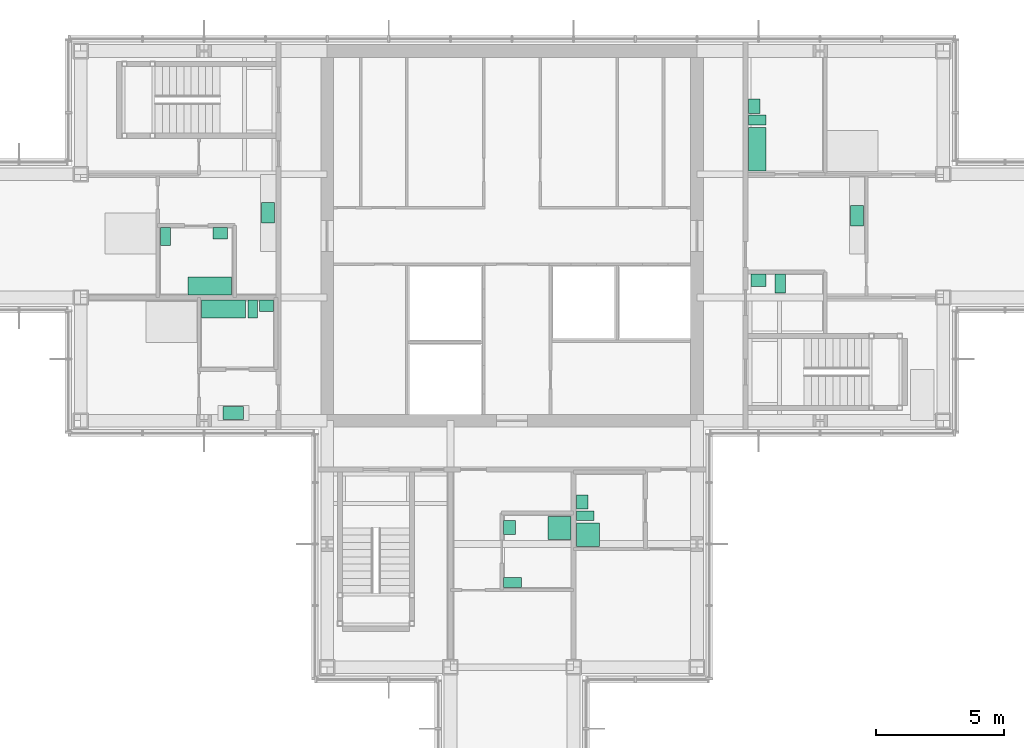
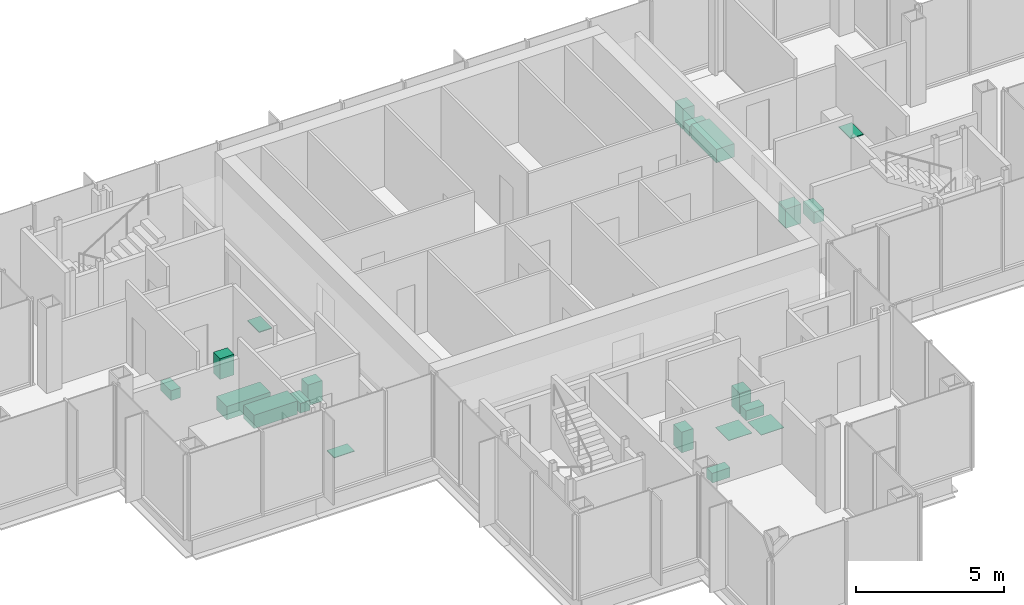
# One storey, part 14 of 15: 20 sanitary terminals.
"""IFC4 building model written with IfcOpenShell, lengths in metres."""

import ifcopenshell
import ifcopenshell.guid

model = None  # the IFC model being written
_history = None  # IfcOwnerHistory: only IFC2X3 demands one
_inside = {}  # id of a spatial element -> (the spatial element, [elements in it])
_under = {}  # id of a project, library or spatial element -> (it, [spatial elements below it])
_declared = {}  # id of a project -> (the project, [libraries it declares])
_typed = {}  # id of a type object -> (the type object, [elements of that type])
_made_of = {}  # id of a material, layer set ... -> (it, [elements and type objects made of it])


def new_model(schema):
    """Start an empty IFC model of exactly this schema.

    Asked for "IFC4X3", IfcOpenShell would pick the latest addendum, in which some entities
    have other attributes; the version numbers below select the first issue.
    IFC2X3 requires an IfcOwnerHistory on every rooted entity: one is made here for all.
    """
    global model, _history
    if schema == "IFC4X3":
        model = ifcopenshell.file(schema_version=(4, 3, 0, 0))
    else:
        model = ifcopenshell.file(schema=schema)
    _inside.clear()
    _under.clear()
    _declared.clear()
    _typed.clear()
    _made_of.clear()
    _history = None
    if model.schema == "IFC2X3":
        org = make("IfcOrganization", Name="unknown")
        user = make(
            "IfcPersonAndOrganization",
            ThePerson=make("IfcPerson", FamilyName="unknown"),
            TheOrganization=org,
        )
        app = make(
            "IfcApplication",
            ApplicationDeveloper=org,
            Version="unknown",
            ApplicationFullName="unknown",
            ApplicationIdentifier="unknown",
        )
        _history = make(
            "IfcOwnerHistory",
            OwningUser=user,
            OwningApplication=app,
            ChangeAction="ADDED",
            CreationDate=0,
        )
    return model


def make(cls, **values):
    """One entity of the class cls with the attributes given. An attribute that is None is left unset."""
    return model.create_entity(
        cls, **{name: value for name, value in values.items() if value is not None}
    )


def rooted(cls, **values):
    """An entity with a GlobalId (a new one), such as an element, a storey or a relation."""
    return make(cls, GlobalId=ifcopenshell.guid.new(), OwnerHistory=_history, **values)


def si_unit(unit_type, name, prefix=None):
    """IfcSIUnit, for example si_unit("LENGTHUNIT", "METRE", prefix="MILLI")."""
    return make("IfcSIUnit", UnitType=unit_type, Prefix=prefix, Name=name)


def assignment(units):
    """IfcUnitAssignment: the units of a project."""
    return None if units is None else make("IfcUnitAssignment", Units=units)


def point(xyz):
    """IfcCartesianPoint."""
    return None if xyz is None else make("IfcCartesianPoint", Coordinates=xyz)


def direction(xyz):
    """IfcDirection."""
    return None if xyz is None else make("IfcDirection", DirectionRatios=xyz)


def frame(location, z_axis=None, x_axis=None):
    """IfcAxis2Placement3D, a coordinate frame: its origin and axes. An axis left out is left unset."""
    return make(
        "IfcAxis2Placement3D",
        Location=point(location),
        Axis=direction(z_axis),
        RefDirection=direction(x_axis),
    )


def frame_2d(location, x_axis=None):
    """IfcAxis2Placement2D, a coordinate frame in the plane: its origin and x axis."""
    return make(
        "IfcAxis2Placement2D", Location=point(location), RefDirection=direction(x_axis)
    )


def origin():
    """The frame at (0, 0, 0) with its axes left unset."""
    return frame((0.0, 0.0, 0.0))


def origin_2d():
    """The frame at (0, 0) in the plane with its x axis left unset."""
    return frame_2d((0.0, 0.0))


def place(relative_to, where):
    """IfcLocalPlacement: puts the frame where relative to a parent placement (None: the world)."""
    return make(
        "IfcLocalPlacement", PlacementRelTo=relative_to, RelativePlacement=where
    )


def context(
    kind, dimensions, precision=None, world=None, true_north=None, identifier=None
):
    """IfcGeometricRepresentationContext, for example the 3D "Model" context."""
    return make(
        "IfcGeometricRepresentationContext",
        ContextIdentifier=identifier,
        ContextType=kind,
        CoordinateSpaceDimension=dimensions,
        Precision=precision,
        WorldCoordinateSystem=world,
        TrueNorth=true_north,
    )


def subcontext(parent, identifier, kind, view, scale=None):
    """IfcGeometricRepresentationSubContext, for example "Body" below "Model"."""
    return make(
        "IfcGeometricRepresentationSubContext",
        ContextIdentifier=identifier,
        ContextType=kind,
        ParentContext=parent,
        TargetScale=scale,
        TargetView=view,
    )


def project(units=None, contexts=None):
    """IfcProject with its units and contexts."""
    return rooted(
        "IfcProject",
        Name="project",
        RepresentationContexts=contexts,
        UnitsInContext=assignment(units),
    )


def spatial(cls, under=None, at=None, **own):
    """A site, building, storey or space (cls), placed at a placement, below another one or the project."""
    s = rooted(cls, ObjectPlacement=at, **own)
    if under is not None:
        _under.setdefault(under.id(), (under, []))[1].append(s)
    return s


def profile(cls, at=None, kind="AREA", **sizes):
    """A parametric profile (cls). Its sizes go by their IFC names, for example OverallWidth=200.0."""
    return make(cls, ProfileType=kind, Position=at, **sizes)


def rectangle(**sizes):
    """IfcRectangleProfileDef."""
    return profile("IfcRectangleProfileDef", **sizes)


def extrude(swept, where, along, depth):
    """IfcExtrudedAreaSolid: the profile swept, set in the frame where, extruded along a direction by depth."""
    return make(
        "IfcExtrudedAreaSolid",
        SweptArea=swept,
        Position=where,
        ExtrudedDirection=direction(along),
        Depth=depth,
    )


def shape(context_of_items, identifier, shape_type, items):
    """IfcShapeRepresentation: the items that make up one representation, for example the "Body"."""
    return make(
        "IfcShapeRepresentation",
        ContextOfItems=context_of_items,
        RepresentationIdentifier=identifier,
        RepresentationType=shape_type,
        Items=items,
    )


def material(Name=None, Category=None):
    """IfcMaterial."""
    return make("IfcMaterial", Name=Name, Category=Category)


def made_of(thing, what):
    """Note that an element or type object is made of a material, layer set ...; save() writes the relation."""
    if what is not None:
        _made_of.setdefault(what.id(), (what, []))[1].append(thing)
    return thing


def type_object(cls, material=None, **own):
    """A type object (cls), such as IfcWallType, which elements share."""
    return made_of(rooted(cls, **own), material)


def element(
    cls,
    number,
    at=None,
    inside=None,
    cuts=None,
    type_object=None,
    material=None,
    context=None,
    identifier="Body",
    shape_type=None,
    held_by="IfcProductDefinitionShape",
    body=None,
    shapes=None,
    **own,
):
    """One element of the class cls, such as IfcWall. Its Tag is "e" and its number.

    at: its placement. inside: the storey or other place that contains it. cuts: it is an
    opening in that element (IfcRelVoidsElement). A single representation is given by context,
    identifier, shape_type and body (its items); several are given by shapes. held_by: the class
    of the entity that holds the representations. save() writes the other relations.
    """
    e = rooted(cls, Tag="e%d" % number, ObjectPlacement=at, **own)
    if body is not None:
        shapes = [shape(context, identifier, shape_type, body)]
    if shapes is not None:
        e.Representation = make(held_by, Representations=shapes)
    if inside is not None:
        _inside.setdefault(inside.id(), (inside, []))[1].append(e)
    if cuts is not None:
        rooted(
            "IfcRelVoidsElement", RelatingBuildingElement=cuts, RelatedOpeningElement=e
        )
    if type_object is not None:
        _typed.setdefault(type_object.id(), (type_object, []))[1].append(e)
    return made_of(e, material)


def aggregate(whole, parts):
    """IfcRelAggregates: a whole, such as a stair, and the parts it consists of."""
    return rooted("IfcRelAggregates", RelatingObject=whole, RelatedObjects=parts)


def save(model, path):
    """Write the relations noted so far, then the file.

    IfcRelAggregates (storeys below a building ...), IfcRelContainedInSpatialStructure (elements
    in a storey), IfcRelDefinesByType, IfcRelAssociatesMaterial and IfcRelDeclares: one each for
    every whole, place, type object, material and project.
    """
    for whole, parts in _under.values():
        aggregate(whole, parts)
    for where, things in _inside.values():
        rooted(
            "IfcRelContainedInSpatialStructure",
            RelatedElements=things,
            RelatingStructure=where,
        )
    for kind, things in _typed.values():
        rooted("IfcRelDefinesByType", RelatedObjects=things, RelatingType=kind)
    for what, things in _made_of.values():
        rooted("IfcRelAssociatesMaterial", RelatedObjects=things, RelatingMaterial=what)
    for by, libraries in _declared.values():
        rooted("IfcRelDeclares", RelatingContext=by, RelatedDefinitions=libraries)
    model.write(path)


model = new_model("IFC4")

# Units and contexts
model_context = context("Model", 3, precision=1e-05, world=origin(), true_north=direction((0.0, 1.0)))
body_context = subcontext(model_context, "Body", "Model", "MODEL_VIEW")
ifc_project = project(units=[si_unit("LENGTHUNIT", "METRE"), si_unit("AREAUNIT", "SQUARE_METRE"), si_unit("VOLUMEUNIT", "CUBIC_METRE"), si_unit("PLANEANGLEUNIT", "RADIAN"), si_unit("MASSUNIT", "GRAM", prefix="KILO")], contexts=[model_context])

# Site, building, storey
site_placement = place(None, origin())
site = spatial("IfcSite", under=ifc_project, at=site_placement, CompositionType="ELEMENT")
building_placement = place(site_placement, origin())
building = spatial("IfcBuilding", under=site, at=building_placement, Name="Kvirike Care Tower", CompositionType="ELEMENT")
storey_placement = place(building_placement, frame((0.0, 0.0, 205.0)))
storey = spatial("IfcBuildingStorey", under=building, at=storey_placement, Name="L56", CompositionType="ELEMENT", Elevation=205.0)

# Sanitary terminals
ifc_material_1 = material(Name="Vitreous china", Category="ceramic")
sanitary_terminal_type_1 = type_object("IfcSanitaryTerminalType", Name="ACCESSIBLE WASH BASIN 600 x 500", PredefinedType="WASHHANDBASIN", material=ifc_material_1)
sanitary_terminal_1_placement = place(storey_placement, frame((31.199951171875, 34.27294921875, 0.02001953125), z_axis=(0.0, 0.0, 1.0), x_axis=(1.0, 0.0, 0.0)))
element("IfcSanitaryTerminal", 1, at=sanitary_terminal_1_placement, inside=storey, type_object=sanitary_terminal_type_1, Name="Accessible wash basin L56-024", PredefinedType="WASHHANDBASIN", context=body_context, shape_type="SweptSolid", body=[
    extrude(rectangle(XDim=0.60009765625, YDim=0.5, at=origin_2d()), origin(), (0.0, 0.0, 1.0), 0.800048828125),
])
ifc_material_2 = material(Name="Vitreous china", Category="ceramic")
sanitary_terminal_type_2 = type_object("IfcSanitaryTerminalType", Name="ACCESSIBLE WC PAN 400 x 750", PredefinedType="TOILETPAN", material=ifc_material_2)
sanitary_terminal_2_placement = place(storey_placement, frame((32.050048828125, 34.14794921875, 0.02001953125), z_axis=(0.0, 0.0, 1.0), x_axis=(1.0, 0.0, 0.0)))
element("IfcSanitaryTerminal", 2, at=sanitary_terminal_2_placement, inside=storey, type_object=sanitary_terminal_type_2, Name="Accessible WC pan L56-024", PredefinedType="TOILETPAN", context=body_context, shape_type="SweptSolid", body=[
    extrude(rectangle(XDim=0.39990234375, YDim=0.75, at=origin_2d()), origin(), (0.0, 0.0, 1.0), 0.47998046875),
])
ifc_material_3 = material(Name="Enamelled steel", Category="steel")
sanitary_terminal_type_3 = type_object("IfcSanitaryTerminalType", Name="BATH 1700 x 700", PredefinedType="BATH", material=ifc_material_3)
for number, where, z_axis, x_axis, name in (
    (3, (9.824951171875, 34.052001953125, 0.02001953125), (0.0, 0.0, 1.0), (-1.0, 0.0, 0.0), "Bath L56-005"),
    (4, (10.360107421875, 33.14794921875, 0.02001953125), (0.0, 0.0, 1.0), (1.0, 0.0, 0.0), "Bath L56-008"),
    (5, (31.152099609375, 39.375, 0.02001953125), (0.0, 0.0, 1.0), (0.0, 1.0, 0.0), "Bath L56-025"),
):
    element("IfcSanitaryTerminal", number, at=place(storey_placement, frame(where, z_axis=z_axis, x_axis=x_axis)), inside=storey, type_object=sanitary_terminal_type_3, Name=name, PredefinedType="BATH", context=body_context, shape_type="SweptSolid", body=[
        extrude(rectangle(XDim=1.699951171875, YDim=0.699951171875, at=origin_2d()), origin(), (0.0, 0.0, 1.0), 0.550048828125),
    ])
ifc_material_4 = material(Name="Stainless steel", Category="steel")
sanitary_terminal_type_4 = type_object("IfcSanitaryTerminalType", Name="KITCHEN SINK 800 x 500", PredefinedType="SINK", material=ifc_material_4)
for number, where, z_axis, x_axis, name in (
    (6, (12.097900390625, 36.89990234375, 0.89990234375), (0.0, 0.0, 1.0), (0.0, -1.0, 0.0), "Kitchen sink L56-006"),
    (7, (10.75, 29.10205078125, 0.89990234375), (0.0, 0.0, 1.0), (-1.0, 0.0, 0.0), "Kitchen sink L56-009"),
    (8, (35.0380859375, 36.7900390625, 0.89990234375), (0.0, 0.0, 1.0), (0.0, -1.0, 0.0), "Kitchen sink L56-026"),
):
    element("IfcSanitaryTerminal", number, at=place(storey_placement, frame(where, z_axis=z_axis, x_axis=x_axis)), inside=storey, type_object=sanitary_terminal_type_4, Name=name, PredefinedType="SINK", context=body_context, shape_type="SweptSolid", body=[
        extrude(rectangle(XDim=0.800048828125, YDim=0.5, at=origin_2d()), origin(), (0.0, 0.0, 1.0), 0.030029296875),
    ])
ifc_material_5 = material(Name="Stainless steel", Category="steel")
sanitary_terminal_type_5 = type_object("IfcSanitaryTerminalType", Name="LEVEL-ACCESS SHOWER 900 x 900", PredefinedType="SHOWER", material=ifc_material_5)
for number, where, z_axis, x_axis, name in (
    (9, (23.447998046875, 24.625, 0.02001953125), (0.0, 0.0, 1.0), (0.0, -1.0, 0.0), "Level-access shower L56-014"),
    (10, (24.552001953125, 24.360107421875, 0.02001953125), (0.0, 0.0, 1.0), (0.0, 1.0, 0.0), "Level-access shower L56-017"),
):
    element("IfcSanitaryTerminal", number, at=place(storey_placement, frame(where, z_axis=z_axis, x_axis=x_axis)), inside=storey, type_object=sanitary_terminal_type_5, Name=name, PredefinedType="SHOWER", context=body_context, shape_type="SweptSolid", body=[
        extrude(rectangle(XDim=0.89990234375, YDim=0.89990234375, at=origin_2d()), origin(), (0.0, 0.0, 1.0), 0.02001953125),
    ])
ifc_material_6 = material(Name="Vitreous china", Category="ceramic")
sanitary_terminal_type_6 = type_object("IfcSanitaryTerminalType", Name="WASH BASIN 550 x 450", PredefinedType="WASHHANDBASIN", material=ifc_material_6)
for number, where, z_axis, x_axis, name in (
    (11, (10.235107421875, 36.097900390625, 0.02001953125), (0.0, 0.0, 1.0), (1.0, 0.0, 0.0), "Wash basin L56-005"),
    (12, (12.034912109375, 33.27294921875, 0.02001953125), (0.0, 0.0, 1.0), (1.0, 0.0, 0.0), "Wash basin L56-008"),
    (13, (21.501953125, 24.635009765625, 0.02001953125), (0.0, 0.0, 1.0), (0.0, 1.0, 0.0), "Wash basin L56-014"),
    (14, (24.326904296875, 25.635009765625, 0.02001953125), (0.0, 0.0, 1.0), (0.0, 1.0, 0.0), "Wash basin L56-017"),
    (15, (31.027099609375, 41.050048828125, 0.02001953125), (0.0, 0.0, 1.0), (0.0, 1.0, 0.0), "Wash basin L56-025"),
):
    element("IfcSanitaryTerminal", number, at=place(storey_placement, frame(where, z_axis=z_axis, x_axis=x_axis)), inside=storey, type_object=sanitary_terminal_type_6, Name=name, PredefinedType="WASHHANDBASIN", context=body_context, shape_type="SweptSolid", body=[
        extrude(rectangle(XDim=0.550048828125, YDim=0.449951171875, at=origin_2d()), origin(), (0.0, 0.0, 1.0), 0.85009765625),
    ])
ifc_material_7 = material(Name="Vitreous china", Category="ceramic")
sanitary_terminal_type_7 = type_object("IfcSanitaryTerminalType", Name="WC PAN 380 x 700", PredefinedType="TOILETPAN", material=ifc_material_7)
for number, where, z_axis, x_axis, name in (
    (16, (8.10009765625, 35.972900390625, 0.02001953125), (0.0, 0.0, 1.0), (1.0, 0.0, 0.0), "WC pan L56-005"),
    (17, (11.5, 33.14794921875, 0.02001953125), (0.0, 0.0, 1.0), (1.0, 0.0, 0.0), "WC pan L56-008"),
    (18, (21.626953125, 22.5, 0.02001953125), (0.0, 0.0, 1.0), (0.0, 1.0, 0.0), "WC pan L56-014"),
    (19, (24.451904296875, 25.10009765625, 0.02001953125), (0.0, 0.0, 1.0), (0.0, 1.0, 0.0), "WC pan L56-017"),
    (20, (31.152099609375, 40.514892578125, 0.02001953125), (0.0, 0.0, 1.0), (0.0, 1.0, 0.0), "WC pan L56-025"),
):
    element("IfcSanitaryTerminal", number, at=place(storey_placement, frame(where, z_axis=z_axis, x_axis=x_axis)), inside=storey, type_object=sanitary_terminal_type_7, Name=name, PredefinedType="TOILETPAN", context=body_context, shape_type="SweptSolid", body=[
        extrude(rectangle(XDim=0.3798828125, YDim=0.699951171875, at=origin_2d()), origin(), (0.0, 0.0, 1.0), 0.39990234375),
    ])

save(model, "model.ifc")
